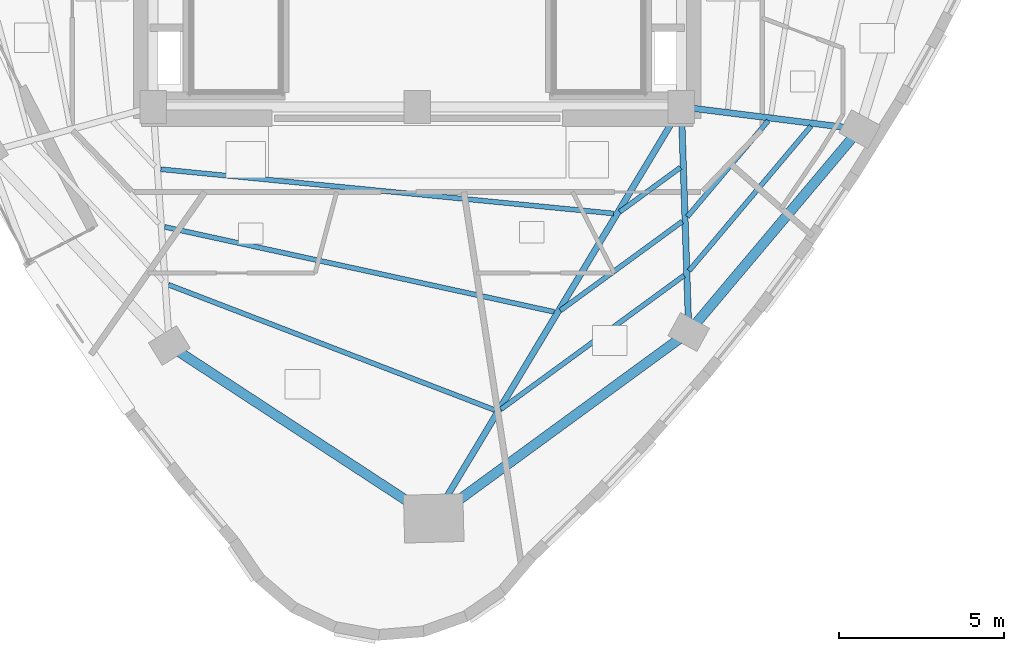
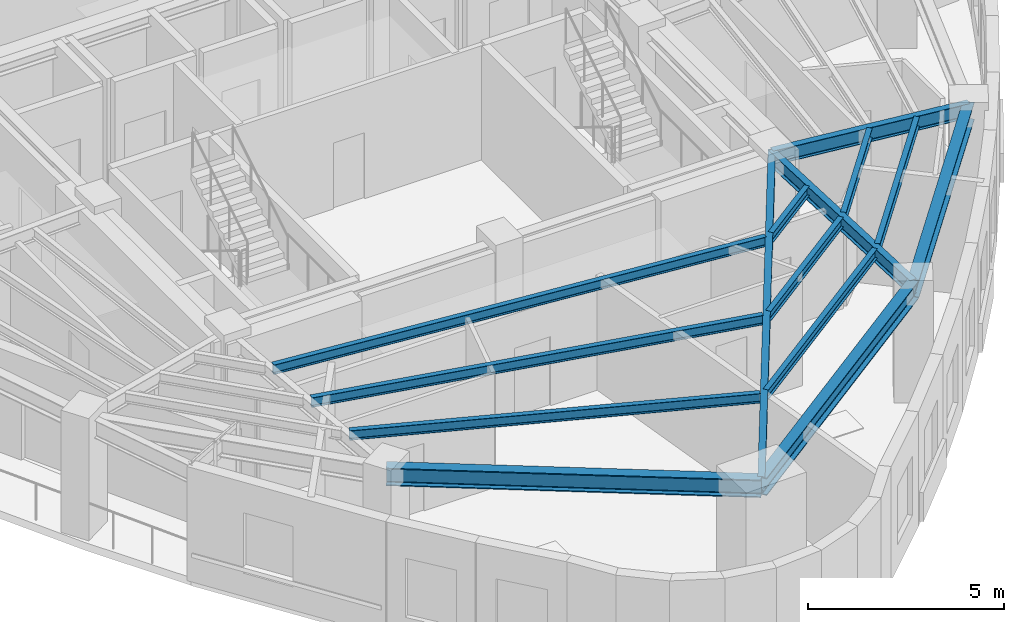
# One storey, part 3 of 12: 14 beams.
"""IFC4 building model written with IfcOpenShell, lengths in metres."""

from ifc_helpers import new_model, si_unit, direction, frame, origin, origin_2d, place, context, subcontext, project, spatial, i_section, extrude, material, material_profile, profile_set, type_object, element, save


model = new_model("IFC4")

# Units and contexts
model_context = context("Model", 3, precision=1e-05, world=origin(), true_north=direction((0.0, 1.0)))
body_context = subcontext(model_context, "Body", "Model", "MODEL_VIEW")
ifc_project = project(units=[si_unit("LENGTHUNIT", "METRE"), si_unit("AREAUNIT", "SQUARE_METRE"), si_unit("VOLUMEUNIT", "CUBIC_METRE"), si_unit("PLANEANGLEUNIT", "RADIAN"), si_unit("MASSUNIT", "GRAM", prefix="KILO")], contexts=[model_context])

# Site, building, storey
site_placement = place(None, origin())
site = spatial("IfcSite", under=ifc_project, at=site_placement, CompositionType="ELEMENT")
building_placement = place(site_placement, origin())
building = spatial("IfcBuilding", under=site, at=building_placement, Name="Ndelora Gate Hotel", CompositionType="ELEMENT")
storey_placement = place(building_placement, frame((0.0, 0.0, 194.14990234375)))
storey = spatial("IfcBuildingStorey", under=building, at=storey_placement, Name="L48", CompositionType="ELEMENT", Elevation=194.14990234375)

# Beams
ifc_material = material(Name="Steel S355", Category="steel")
ifc_material_profile_1 = material_profile(ifc_material, i_section(OverallWidth=0.14990234375, OverallDepth=0.300048828125, WebThickness=0.007080078125, FlangeThickness=0.0107421875, FilletRadius=0.014892578125, at=origin_2d()), Name="IPE 300")
ifc_profile_set_1 = profile_set([ifc_material_profile_1], Name="Steel S355")
beam_type_1 = type_object("IfcBeamType", Name="BM-JST-300", PredefinedType="JOIST", material=ifc_profile_set_1)
beam_1_placement = place(storey_placement, frame((-7.767578125, -8.489501953125, 3.400146484375), z_axis=(0.995253727902, -0.097314012848, 0.0), x_axis=(0.097314012848, 0.995253727902, 0.0)))
element("IfcBeam", 1, at=beam_1_placement, inside=storey, type_object=beam_type_1, Name="L48 Secondary Composite Floor Joist IN-4", PredefinedType="JOIST", context=body_context, shape_type="SweptSolid", body=[
    extrude(i_section(OverallWidth=0.14990234375, OverallDepth=0.300048828125, WebThickness=0.007080078125, FlangeThickness=0.0107421875, FilletRadius=0.014892578125, at=origin_2d()), origin(), (0.0, 0.0, 1.0), 13.7783203125),
])
beam_2_placement = place(storey_placement, frame((-7.651611328125, -10.236572265625, 3.400146484375), z_axis=(0.977032906758, -0.213088477191, 0.0), x_axis=(0.213088477191, 0.977032906758, 0.0)))
element("IfcBeam", 2, at=beam_2_placement, inside=storey, type_object=beam_type_1, Name="L48 Secondary Composite Floor Joist MID-4", PredefinedType="JOIST", context=body_context, shape_type="SweptSolid", body=[
    extrude(i_section(OverallWidth=0.14990234375, OverallDepth=0.300048828125, WebThickness=0.007080078125, FlangeThickness=0.0107421875, FilletRadius=0.014892578125, at=origin_2d()), origin(), (0.0, 0.0, 1.0), 12.075927734375),
])
beam_3_placement = place(storey_placement, frame((-7.5380859375, -11.98681640625, 3.400146484375), z_axis=(0.933489266504, -0.358605339227, 0.0), x_axis=(0.358605339227, 0.933489266504, 0.0)))
element("IfcBeam", 3, at=beam_3_placement, inside=storey, type_object=beam_type_1, Name="L48 Secondary Composite Floor Joist OUT-4", PredefinedType="JOIST", context=body_context, shape_type="SweptSolid", body=[
    extrude(i_section(OverallWidth=0.14990234375, OverallDepth=0.300048828125, WebThickness=0.007080078125, FlangeThickness=0.0107421875, FilletRadius=0.014892578125, at=origin_2d()), origin(), (0.0, 0.0, 1.0), 10.593994140625),
])
beam_4_placement = place(storey_placement, frame((6.134521484375, -9.77880859375, 3.400146484375), z_axis=(0.80739897839, 0.590005838696, 0.0), x_axis=(-0.590005838696, 0.80739897839, 0.0)))
element("IfcBeam", 4, at=beam_4_placement, inside=storey, type_object=beam_type_1, Name="L48 Secondary Composite Floor Joist IN-5", PredefinedType="JOIST", context=body_context, shape_type="SweptSolid", body=[
    extrude(i_section(OverallWidth=0.14990234375, OverallDepth=0.300048828125, WebThickness=0.007080078125, FlangeThickness=0.0107421875, FilletRadius=0.014892578125, at=origin_2d()), origin(), (0.0, 0.0, 1.0), 2.277587890625),
])
beam_5_placement = place(storey_placement, frame((4.33447265625, -12.77001953125, 3.400146484375), z_axis=(0.807439047151, 0.589951002318, 0.0), x_axis=(-0.589951002318, 0.807439047151, 0.0)))
element("IfcBeam", 5, at=beam_5_placement, inside=storey, type_object=beam_type_1, Name="L48 Secondary Composite Floor Joist MID-5", PredefinedType="JOIST", context=body_context, shape_type="SweptSolid", body=[
    extrude(i_section(OverallWidth=0.14990234375, OverallDepth=0.300048828125, WebThickness=0.007080078125, FlangeThickness=0.0107421875, FilletRadius=0.014892578125, at=origin_2d()), origin(), (0.0, 0.0, 1.0), 4.5732421875),
])
beam_6_placement = place(storey_placement, frame((2.5341796875, -15.761474609375, 3.400146484375), z_axis=(0.807430841486, 0.589962232874, 0.0), x_axis=(-0.589962232874, 0.807430841486, 0.0)))
element("IfcBeam", 6, at=beam_6_placement, inside=storey, type_object=beam_type_1, Name="L48 Secondary Composite Floor Joist OUT-5", PredefinedType="JOIST", context=body_context, shape_type="SweptSolid", body=[
    extrude(i_section(OverallWidth=0.14990234375, OverallDepth=0.300048828125, WebThickness=0.007080078125, FlangeThickness=0.0107421875, FilletRadius=0.014892578125, at=origin_2d()), origin(), (0.0, 0.0, 1.0), 6.869384765625),
])
beam_7_placement = place(storey_placement, frame((8.1796875, -9.9296875, 3.400146484375), z_axis=(0.644319387893, 0.764756514444, 0.0), x_axis=(-0.764756514444, 0.644319387893, 0.0)))
element("IfcBeam", 7, at=beam_7_placement, inside=storey, type_object=beam_type_1, Name="L48 Secondary Composite Floor Joist MID-6", PredefinedType="JOIST", context=body_context, shape_type="SweptSolid", body=[
    extrude(i_section(OverallWidth=0.14990234375, OverallDepth=0.300048828125, WebThickness=0.007080078125, FlangeThickness=0.0107421875, FilletRadius=0.014892578125, at=origin_2d()), origin(), (0.0, 0.0, 1.0), 3.806884765625),
])
beam_8_placement = place(storey_placement, frame((8.2333984375, -11.56640625, 3.400146484375), z_axis=(0.644324492463, 0.764752213735, 0.0), x_axis=(-0.764752213735, 0.644324492463, 0.0)))
element("IfcBeam", 8, at=beam_8_placement, inside=storey, type_object=beam_type_1, Name="L48 Secondary Composite Floor Joist OUT-6", PredefinedType="JOIST", context=body_context, shape_type="SweptSolid", body=[
    extrude(i_section(OverallWidth=0.14990234375, OverallDepth=0.300048828125, WebThickness=0.007080078125, FlangeThickness=0.0107421875, FilletRadius=0.014892578125, at=origin_2d()), origin(), (0.0, 0.0, 1.0), 5.735107421875),
])
ifc_material_profile_2 = material_profile(ifc_material, i_section(OverallWidth=0.18994140625, OverallDepth=0.449951171875, WebThickness=0.009521484375, FlangeThickness=0.0146484375, FilletRadius=0.02099609375, at=origin_2d()), Name="IPE 450")
ifc_profile_set_2 = profile_set([ifc_material_profile_2], Name="Steel S355")
beam_type_2 = type_object("IfcBeamType", Name="BM-RAD-450", PredefinedType="BEAM", material=ifc_profile_set_2)
beam_9_placement = place(storey_placement, frame((8.0, -6.60009765625, 3.3251953125), z_axis=(-0.515620753203, -0.856816922607, 0.0), x_axis=(0.856816922607, -0.515620753203, 0.0)))
element("IfcBeam", 9, at=beam_9_placement, inside=storey, type_object=beam_type_2, Name="L48 Radial Floor Girder 5", PredefinedType="BEAM", context=body_context, shape_type="SweptSolid", body=[
    extrude(i_section(OverallWidth=0.18994140625, OverallDepth=0.449951171875, WebThickness=0.009521484375, FlangeThickness=0.0146484375, FilletRadius=0.02099609375, at=origin_2d()), origin(), (0.0, 0.0, 1.0), 14.546875),
])
beam_10_placement = place(storey_placement, frame((8.0, -6.60009765625, 3.3251953125), z_axis=(0.032809705109, -0.999461616697, 0.0), x_axis=(0.999461616697, 0.032809705109, 0.0)))
element("IfcBeam", 10, at=beam_10_placement, inside=storey, type_object=beam_type_2, Name="L48 Radial Floor Girder 6", PredefinedType="BEAM", context=body_context, shape_type="SweptSolid", body=[
    extrude(i_section(OverallWidth=0.18994140625, OverallDepth=0.449951171875, WebThickness=0.009521484375, FlangeThickness=0.0146484375, FilletRadius=0.02099609375, at=origin_2d()), origin(), (0.0, 0.0, 1.0), 6.823486328125),
])
beam_11_placement = place(storey_placement, frame((8.0, -6.60009765625, 3.3251953125), z_axis=(0.992266830725, -0.124123070552, 0.0), x_axis=(0.124123070552, 0.992266830725, 0.0)))
element("IfcBeam", 11, at=beam_11_placement, inside=storey, type_object=beam_type_2, Name="L48 Radial Floor Girder 7", PredefinedType="BEAM", context=body_context, shape_type="SweptSolid", body=[
    extrude(i_section(OverallWidth=0.18994140625, OverallDepth=0.449951171875, WebThickness=0.009521484375, FlangeThickness=0.0146484375, FilletRadius=0.02099609375, at=origin_2d()), origin(), (0.0, 0.0, 1.0), 5.4423828125),
])
ifc_material_profile_3 = material_profile(ifc_material, i_section(OverallWidth=0.300048828125, OverallDepth=0.550048828125, WebThickness=0.014892578125, FlangeThickness=0.029052734375, FilletRadius=0.027099609375, at=origin_2d()), Name="HEB 550")
ifc_profile_set_3 = profile_set([ifc_material_profile_3], Name="Steel S355")
beam_type_3 = type_object("IfcBeamType", Name="BM-RING-550", PredefinedType="SPANDREL", material=ifc_profile_set_3)
beam_12_placement = place(storey_placement, frame((-7.50830078125, -13.828369140625, 3.275146484375), z_axis=(0.836963769915, -0.547258300851, 0.0), x_axis=(0.547258300851, 0.836963769915, 0.0)))
element("IfcBeam", 12, at=beam_12_placement, inside=storey, type_object=beam_type_3, Name="L48 Perimeter Spandrel Girder 4", PredefinedType="SPANDREL", context=body_context, shape_type="SweptSolid", body=[
    extrude(i_section(OverallWidth=0.300048828125, OverallDepth=0.550048828125, WebThickness=0.014892578125, FlangeThickness=0.029052734375, FilletRadius=0.027099609375, at=origin_2d()), origin(), (0.0, 0.0, 1.0), 9.5673828125),
])
beam_13_placement = place(storey_placement, frame((0.499267578125, -19.064208984375, 3.275146484375), z_axis=(0.807421980226, 0.58997436033, 0.0), x_axis=(-0.58997436033, 0.807421980226, 0.0)))
element("IfcBeam", 13, at=beam_13_placement, inside=storey, type_object=beam_type_3, Name="L48 Perimeter Spandrel Girder 5", PredefinedType="SPANDREL", context=body_context, shape_type="SweptSolid", body=[
    extrude(i_section(OverallWidth=0.300048828125, OverallDepth=0.550048828125, WebThickness=0.014892578125, FlangeThickness=0.029052734375, FilletRadius=0.027099609375, at=origin_2d()), origin(), (0.0, 0.0, 1.0), 9.56689453125),
])
beam_14_placement = place(storey_placement, frame((8.223876953125, -13.419921875, 3.275146484375), z_axis=(0.644308845181, 0.764765396721, 0.0), x_axis=(-0.764765396721, 0.644308845181, 0.0)))
element("IfcBeam", 14, at=beam_14_placement, inside=storey, type_object=beam_type_3, Name="L48 Perimeter Spandrel Girder 6", PredefinedType="SPANDREL", context=body_context, shape_type="SweptSolid", body=[
    extrude(i_section(OverallWidth=0.300048828125, OverallDepth=0.550048828125, WebThickness=0.014892578125, FlangeThickness=0.029052734375, FilletRadius=0.027099609375, at=origin_2d()), origin(), (0.0, 0.0, 1.0), 8.0341796875),
])

save(model, "model.ifc")
